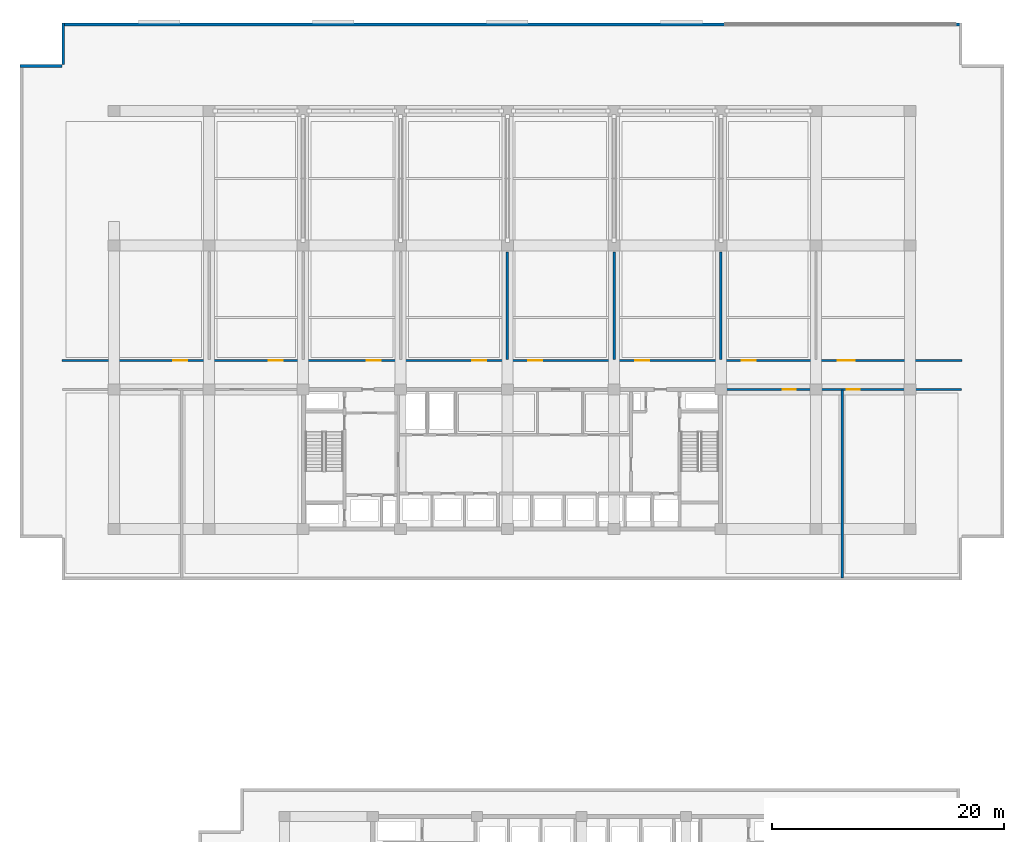
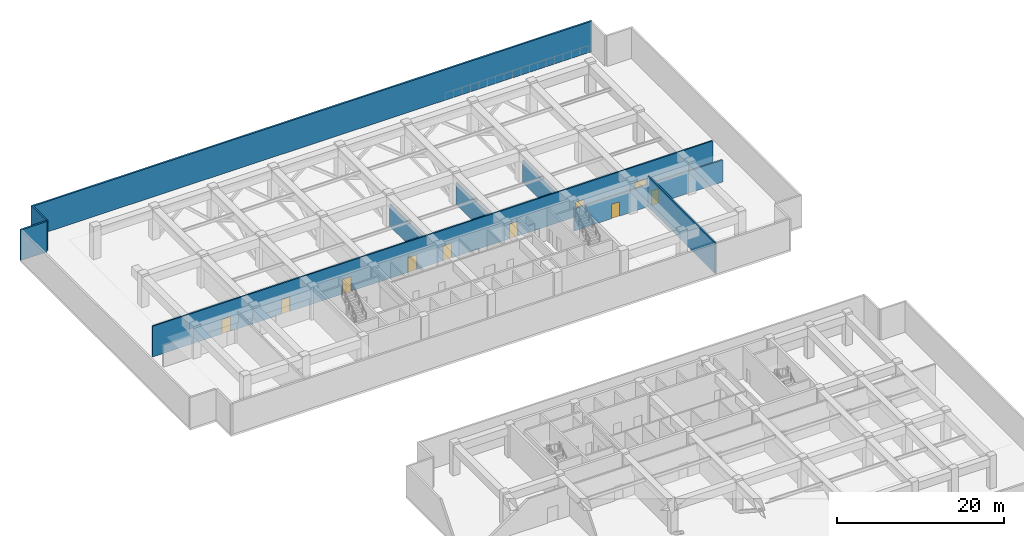
# One storey, part 13 of 21: 10 doors, 9 walls, 10 openings.
"""IFC4 building model written with IfcOpenShell, lengths in metres."""

import ifcopenshell
import ifcopenshell.guid

model = None  # the IFC model being written
_history = None  # IfcOwnerHistory: only IFC2X3 demands one
_inside = {}  # id of a spatial element -> (the spatial element, [elements in it])
_under = {}  # id of a project, library or spatial element -> (it, [spatial elements below it])
_declared = {}  # id of a project -> (the project, [libraries it declares])
_typed = {}  # id of a type object -> (the type object, [elements of that type])
_made_of = {}  # id of a material, layer set ... -> (it, [elements and type objects made of it])


def new_model(schema):
    """Start an empty IFC model of exactly this schema.

    Asked for "IFC4X3", IfcOpenShell would pick the latest addendum, in which some entities
    have other attributes; the version numbers below select the first issue.
    IFC2X3 requires an IfcOwnerHistory on every rooted entity: one is made here for all.
    """
    global model, _history
    if schema == "IFC4X3":
        model = ifcopenshell.file(schema_version=(4, 3, 0, 0))
    else:
        model = ifcopenshell.file(schema=schema)
    _inside.clear()
    _under.clear()
    _declared.clear()
    _typed.clear()
    _made_of.clear()
    _history = None
    if model.schema == "IFC2X3":
        org = make("IfcOrganization", Name="unknown")
        user = make(
            "IfcPersonAndOrganization",
            ThePerson=make("IfcPerson", FamilyName="unknown"),
            TheOrganization=org,
        )
        app = make(
            "IfcApplication",
            ApplicationDeveloper=org,
            Version="unknown",
            ApplicationFullName="unknown",
            ApplicationIdentifier="unknown",
        )
        _history = make(
            "IfcOwnerHistory",
            OwningUser=user,
            OwningApplication=app,
            ChangeAction="ADDED",
            CreationDate=0,
        )
    return model


def make(cls, **values):
    """One entity of the class cls with the attributes given. An attribute that is None is left unset."""
    return model.create_entity(
        cls, **{name: value for name, value in values.items() if value is not None}
    )


def rooted(cls, **values):
    """An entity with a GlobalId (a new one), such as an element, a storey or a relation."""
    return make(cls, GlobalId=ifcopenshell.guid.new(), OwnerHistory=_history, **values)


def si_unit(unit_type, name, prefix=None):
    """IfcSIUnit, for example si_unit("LENGTHUNIT", "METRE", prefix="MILLI")."""
    return make("IfcSIUnit", UnitType=unit_type, Prefix=prefix, Name=name)


def assignment(units):
    """IfcUnitAssignment: the units of a project."""
    return None if units is None else make("IfcUnitAssignment", Units=units)


def point(xyz):
    """IfcCartesianPoint."""
    return None if xyz is None else make("IfcCartesianPoint", Coordinates=xyz)


def direction(xyz):
    """IfcDirection."""
    return None if xyz is None else make("IfcDirection", DirectionRatios=xyz)


def frame(location, z_axis=None, x_axis=None):
    """IfcAxis2Placement3D, a coordinate frame: its origin and axes. An axis left out is left unset."""
    return make(
        "IfcAxis2Placement3D",
        Location=point(location),
        Axis=direction(z_axis),
        RefDirection=direction(x_axis),
    )


def frame_2d(location, x_axis=None):
    """IfcAxis2Placement2D, a coordinate frame in the plane: its origin and x axis."""
    return make(
        "IfcAxis2Placement2D", Location=point(location), RefDirection=direction(x_axis)
    )


def origin():
    """The frame at (0, 0, 0) with its axes left unset."""
    return frame((0.0, 0.0, 0.0))


def place(relative_to, where):
    """IfcLocalPlacement: puts the frame where relative to a parent placement (None: the world)."""
    return make(
        "IfcLocalPlacement", PlacementRelTo=relative_to, RelativePlacement=where
    )


def context(
    kind, dimensions, precision=None, world=None, true_north=None, identifier=None
):
    """IfcGeometricRepresentationContext, for example the 3D "Model" context."""
    return make(
        "IfcGeometricRepresentationContext",
        ContextIdentifier=identifier,
        ContextType=kind,
        CoordinateSpaceDimension=dimensions,
        Precision=precision,
        WorldCoordinateSystem=world,
        TrueNorth=true_north,
    )


def subcontext(parent, identifier, kind, view, scale=None):
    """IfcGeometricRepresentationSubContext, for example "Body" below "Model"."""
    return make(
        "IfcGeometricRepresentationSubContext",
        ContextIdentifier=identifier,
        ContextType=kind,
        ParentContext=parent,
        TargetScale=scale,
        TargetView=view,
    )


def project(units=None, contexts=None):
    """IfcProject with its units and contexts."""
    return rooted(
        "IfcProject",
        Name="project",
        RepresentationContexts=contexts,
        UnitsInContext=assignment(units),
    )


def spatial(cls, under=None, at=None, **own):
    """A site, building, storey or space (cls), placed at a placement, below another one or the project."""
    s = rooted(cls, ObjectPlacement=at, **own)
    if under is not None:
        _under.setdefault(under.id(), (under, []))[1].append(s)
    return s


def profile(cls, at=None, kind="AREA", **sizes):
    """A parametric profile (cls). Its sizes go by their IFC names, for example OverallWidth=200.0."""
    return make(cls, ProfileType=kind, Position=at, **sizes)


def rectangle(**sizes):
    """IfcRectangleProfileDef."""
    return profile("IfcRectangleProfileDef", **sizes)


def extrude(swept, where, along, depth):
    """IfcExtrudedAreaSolid: the profile swept, set in the frame where, extruded along a direction by depth."""
    return make(
        "IfcExtrudedAreaSolid",
        SweptArea=swept,
        Position=where,
        ExtrudedDirection=direction(along),
        Depth=depth,
    )


def shape(context_of_items, identifier, shape_type, items):
    """IfcShapeRepresentation: the items that make up one representation, for example the "Body"."""
    return make(
        "IfcShapeRepresentation",
        ContextOfItems=context_of_items,
        RepresentationIdentifier=identifier,
        RepresentationType=shape_type,
        Items=items,
    )


def material(Name=None, Category=None):
    """IfcMaterial."""
    return make("IfcMaterial", Name=Name, Category=Category)


def layer(
    of_material, thickness, ventilated=None, Name=None, Category=None, Priority=None
):
    """IfcMaterialLayer: one layer of a wall or slab, of a material (None: an air gap)."""
    return make(
        "IfcMaterialLayer",
        Material=of_material,
        LayerThickness=thickness,
        IsVentilated=ventilated,
        Name=Name,
        Category=Category,
        Priority=Priority,
    )


def layer_set(layers, Name=None):
    """IfcMaterialLayerSet."""
    return make("IfcMaterialLayerSet", MaterialLayers=layers, LayerSetName=Name)


def made_of(thing, what):
    """Note that an element or type object is made of a material, layer set ...; save() writes the relation."""
    if what is not None:
        _made_of.setdefault(what.id(), (what, []))[1].append(thing)
    return thing


def type_object(cls, material=None, **own):
    """A type object (cls), such as IfcWallType, which elements share."""
    return made_of(rooted(cls, **own), material)


def element(
    cls,
    number,
    at=None,
    inside=None,
    cuts=None,
    type_object=None,
    material=None,
    context=None,
    identifier="Body",
    shape_type=None,
    held_by="IfcProductDefinitionShape",
    body=None,
    shapes=None,
    **own,
):
    """One element of the class cls, such as IfcWall. Its Tag is "e" and its number.

    at: its placement. inside: the storey or other place that contains it. cuts: it is an
    opening in that element (IfcRelVoidsElement). A single representation is given by context,
    identifier, shape_type and body (its items); several are given by shapes. held_by: the class
    of the entity that holds the representations. save() writes the other relations.
    """
    e = rooted(cls, Tag="e%d" % number, ObjectPlacement=at, **own)
    if body is not None:
        shapes = [shape(context, identifier, shape_type, body)]
    if shapes is not None:
        e.Representation = make(held_by, Representations=shapes)
    if inside is not None:
        _inside.setdefault(inside.id(), (inside, []))[1].append(e)
    if cuts is not None:
        rooted(
            "IfcRelVoidsElement", RelatingBuildingElement=cuts, RelatedOpeningElement=e
        )
    if type_object is not None:
        _typed.setdefault(type_object.id(), (type_object, []))[1].append(e)
    return made_of(e, material)


def fill(opening, filler):
    """IfcRelFillsElement: the door or window that sits in an opening."""
    return rooted(
        "IfcRelFillsElement",
        RelatingOpeningElement=opening,
        RelatedBuildingElement=filler,
    )


def aggregate(whole, parts):
    """IfcRelAggregates: a whole, such as a stair, and the parts it consists of."""
    return rooted("IfcRelAggregates", RelatingObject=whole, RelatedObjects=parts)


def save(model, path):
    """Write the relations noted so far, then the file.

    IfcRelAggregates (storeys below a building ...), IfcRelContainedInSpatialStructure (elements
    in a storey), IfcRelDefinesByType, IfcRelAssociatesMaterial and IfcRelDeclares: one each for
    every whole, place, type object, material and project.
    """
    for whole, parts in _under.values():
        aggregate(whole, parts)
    for where, things in _inside.values():
        rooted(
            "IfcRelContainedInSpatialStructure",
            RelatedElements=things,
            RelatingStructure=where,
        )
    for kind, things in _typed.values():
        rooted("IfcRelDefinesByType", RelatedObjects=things, RelatingType=kind)
    for what, things in _made_of.values():
        rooted("IfcRelAssociatesMaterial", RelatedObjects=things, RelatingMaterial=what)
    for by, libraries in _declared.values():
        rooted("IfcRelDeclares", RelatingContext=by, RelatedDefinitions=libraries)
    model.write(path)


model = new_model("IFC4")

# Units and contexts
model_context = context("Model", 3, precision=1e-05, world=origin(), true_north=direction((0.0, 1.0)))
body_context = subcontext(model_context, "Body", "Model", "MODEL_VIEW")
ifc_project = project(units=[si_unit("LENGTHUNIT", "METRE"), si_unit("AREAUNIT", "SQUARE_METRE"), si_unit("VOLUMEUNIT", "CUBIC_METRE"), si_unit("PLANEANGLEUNIT", "RADIAN"), si_unit("MASSUNIT", "GRAM", prefix="KILO")], contexts=[model_context])

# Site, building, storey
site_placement = place(None, origin())
site = spatial("IfcSite", under=ifc_project, at=site_placement, CompositionType="ELEMENT")
building_placement = place(site_placement, origin())
building = spatial("IfcBuilding", under=site, at=building_placement, Name="Korimba Cascade Residences", CompositionType="ELEMENT")
storey_placement = place(building_placement, frame((0.0, 0.0, 76.0)))
storey = spatial("IfcBuildingStorey", under=building, at=storey_placement, Name="L21", CompositionType="ELEMENT", Elevation=76.0)

# Walls
ifc_material_1 = material(Name="Precast concrete C40/50", Category="concrete")
ifc_layer_1 = layer(ifc_material_1, 0.25)
ifc_layer_set_1 = layer_set([ifc_layer_1], Name="Precast concrete C40/50")
wall_type_1 = type_object("IfcWallType", Name="EW-PLNT-250", PredefinedType="SHEAR", material=ifc_layer_set_1)
wall_1_placement = place(storey_placement, frame((132.89990234375, 98.675048828125, 0.0), z_axis=(0.0, 0.0, 1.0), x_axis=(-1.0, 0.0, 0.0)))
element("IfcWall", 1, at=wall_1_placement, inside=storey, type_object=wall_type_1, Name="L21 T1 Perimeter Stone Wall E06", PredefinedType="SHEAR", context=body_context, shape_type="SweptSolid", body=[
    extrude(rectangle(XDim=77.599853515625, YDim=0.25, at=frame_2d((38.7998046875, 0.0))), origin(), (0.0, 0.0, 1.0), 4.47998046875),
])
for number, where, z_axis, x_axis, name in (
    (2, (55.425048828125, 98.800048828125, 0.0), (0.0, 0.0, 1.0), (0.0, -1.0, 0.0), "L21 T1 Perimeter Stone Wall E07"),
    (3, (55.300048828125, 95.074951171875, 0.0), (0.0, 0.0, 1.0), (-1.0, 0.0, 0.0), "L21 T1 Perimeter Stone Wall E08"),
):
    element("IfcWall", number, at=place(storey_placement, frame(where, z_axis=z_axis, x_axis=x_axis)), inside=storey, type_object=wall_type_1, Name=name, PredefinedType="SHEAR", context=body_context, shape_type="SweptSolid", body=[
        extrude(rectangle(XDim=3.60009765625, YDim=0.25, at=frame_2d((1.800048828125, 0.0))), origin(), (0.0, 0.0, 1.0), 4.47998046875),
    ])
ifc_material_2 = material(Name="Concrete C40/50", Category="concrete")
ifc_layer_2 = layer(ifc_material_2, 0.199951171875)
ifc_layer_set_2 = layer_set([ifc_layer_2], Name="Concrete C40/50")
wall_type_2 = type_object("IfcWallType", Name="WAL-PART-200", PredefinedType="PARTITIONING", material=ifc_layer_set_2)
for number, where, z_axis, x_axis, name in (
    (4, (93.699951171875, 69.800048828125, 0.0), (0.0, 0.0, 1.0), (0.0, 1.0, 0.0), "L21 Partition Wall WAL-L21-T1-PD4"),
    (5, (102.89990234375, 69.800048828125, 0.0), (0.0, 0.0, 1.0), (0.0, 1.0, 0.0), "L21 Partition Wall WAL-L21-T1-PD5"),
    (6, (112.10009765625, 69.800048828125, 0.0), (0.0, 0.0, 1.0), (0.0, 1.0, 0.0), "L21 Partition Wall WAL-L21-T1-PD6"),
):
    element("IfcWall", number, at=place(storey_placement, frame(where, z_axis=z_axis, x_axis=x_axis)), inside=storey, type_object=wall_type_2, Name=name, PredefinedType="PARTITIONING", context=body_context, shape_type="SweptSolid", body=[
        extrude(rectangle(XDim=9.25, YDim=0.199951171875, at=frame_2d((4.625, 0.0))), origin(), (0.0, 0.0, 1.0), 3.22998046875),
    ])

# Wall, openings, doors
wall_2_placement = place(storey_placement, frame((55.300048828125, 69.699951171875, 0.0), z_axis=(0.0, 0.0, 1.0), x_axis=(1.0, 0.0, 0.0)))
wall_2 = element("IfcWall", 7, at=wall_2_placement, inside=storey, type_object=wall_type_2, Name="L21 Partition Wall WAL-L21-T1-PCORN", PredefinedType="PARTITIONING", context=body_context, shape_type="SweptSolid", body=[
    extrude(rectangle(XDim=77.599853515625, YDim=0.199951171875, at=frame_2d((38.7998046875, 0.0))), origin(), (0.0, 0.0, 1.0), 4.47998046875),
])
opening_1_placement = place(wall_2_placement, frame((9.613525390625, 0.0, 0.0)))
opening_1 = element("IfcOpeningElement", 8, at=opening_1_placement, cuts=wall_2, Name="Opening D-FD3", PredefinedType="OPENING", context=body_context, shape_type="SweptSolid", body=[
    extrude(rectangle(XDim=1.199951171875, YDim=2.14990234375, at=frame_2d((0.60009765625, 1.074951171875))), frame((0.0, 0.10986328125, 0.0), z_axis=(0.0, -1.0, 0.0), x_axis=(1.0, 0.0, 0.0)), (0.0, 0.0, 1.0), 0.219970703125),
])
opening_2_placement = place(wall_2_placement, frame((17.82763671875, 0.0, 0.0)))
opening_2 = element("IfcOpeningElement", 9, at=opening_2_placement, cuts=wall_2, Name="Opening D-FD3", PredefinedType="OPENING", context=body_context, shape_type="SweptSolid", body=[
    extrude(rectangle(XDim=1.199951171875, YDim=2.14990234375, at=frame_2d((0.60009765625, 1.074951171875))), frame((0.0, 0.10986328125, 0.0), z_axis=(0.0, -1.0, 0.0), x_axis=(1.0, 0.0, 0.0)), (0.0, 0.0, 1.0), 0.219970703125),
])
opening_3_placement = place(wall_2_placement, frame((26.284912109375, 0.0, 0.0)))
opening_3 = element("IfcOpeningElement", 10, at=opening_3_placement, cuts=wall_2, Name="Opening D-FD3", PredefinedType="OPENING", context=body_context, shape_type="SweptSolid", body=[
    extrude(rectangle(XDim=1.199951171875, YDim=2.14990234375, at=frame_2d((0.60009765625, 1.074951171875))), frame((0.0, 0.10986328125, 0.0), z_axis=(0.0, -1.0, 0.0), x_axis=(1.0, 0.0, 0.0)), (0.0, 0.0, 1.0), 0.219970703125),
])
opening_4_placement = place(wall_2_placement, frame((35.388916015625, 0.0, 0.0)))
opening_4 = element("IfcOpeningElement", 11, at=opening_4_placement, cuts=wall_2, Name="Opening D-FD3", PredefinedType="OPENING", context=body_context, shape_type="SweptSolid", body=[
    extrude(rectangle(XDim=1.199951171875, YDim=2.14990234375, at=frame_2d((0.60009765625, 1.074951171875))), frame((0.0, 0.10986328125, 0.0), z_axis=(0.0, -1.0, 0.0), x_axis=(1.0, 0.0, 0.0)), (0.0, 0.0, 1.0), 0.219970703125),
])
opening_5_placement = place(wall_2_placement, frame((40.211181640625, 0.0, 0.0)))
opening_5 = element("IfcOpeningElement", 12, at=opening_5_placement, cuts=wall_2, Name="Opening D-FD3", PredefinedType="OPENING", context=body_context, shape_type="SweptSolid", body=[
    extrude(rectangle(XDim=1.199951171875, YDim=2.14990234375, at=frame_2d((0.60009765625, 1.074951171875))), frame((0.0, 0.10986328125, 0.0), z_axis=(0.0, -1.0, 0.0), x_axis=(1.0, 0.0, 0.0)), (0.0, 0.0, 1.0), 0.219970703125),
])
opening_6_placement = place(wall_2_placement, frame((49.4111328125, 0.0, 0.0)))
opening_6 = element("IfcOpeningElement", 13, at=opening_6_placement, cuts=wall_2, Name="Opening D-FD3", PredefinedType="OPENING", context=body_context, shape_type="SweptSolid", body=[
    extrude(rectangle(XDim=1.199951171875, YDim=2.14990234375, at=frame_2d((0.60009765625, 1.074951171875))), frame((0.0, 0.10986328125, 0.0), z_axis=(0.0, -1.0, 0.0), x_axis=(1.0, 0.0, 0.0)), (0.0, 0.0, 1.0), 0.219970703125),
])
opening_7_placement = place(wall_2_placement, frame((58.58642578125, 0.0, 0.0)))
opening_7 = element("IfcOpeningElement", 14, at=opening_7_placement, cuts=wall_2, Name="Opening D-FD3", PredefinedType="OPENING", context=body_context, shape_type="SweptSolid", body=[
    extrude(rectangle(XDim=1.199951171875, YDim=2.14990234375, at=frame_2d((0.60009765625, 1.074951171875))), frame((0.0, 0.10986328125, 0.0), z_axis=(0.0, -1.0, 0.0), x_axis=(1.0, 0.0, 0.0)), (0.0, 0.0, 1.0), 0.219970703125),
])
opening_8_placement = place(wall_2_placement, frame((66.8544921875, 0.0, 0.0)))
opening_8 = element("IfcOpeningElement", 15, at=opening_8_placement, cuts=wall_2, Name="Opening D-FD4", PredefinedType="OPENING", context=body_context, shape_type="SweptSolid", body=[
    extrude(rectangle(XDim=1.5, YDim=2.179931640625, at=frame_2d((0.75, 1.08984375))), frame((0.0, 0.10986328125, 0.0), z_axis=(0.0, -1.0, 0.0), x_axis=(1.0, 0.0, 0.0)), (0.0, 0.0, 1.0), 0.219970703125),
])
ifc_material_3 = material(Name="Fire-Rated Steel Plant Door", Category="steel")
door_type_1 = type_object("IfcDoorType", Name="DR-FD120-1200", OperationType="NOTDEFINED", PredefinedType="DOOR", material=ifc_material_3)
door_1_placement = place(opening_1_placement, origin())
door_1 = element("IfcDoor", 16, at=door_1_placement, inside=storey, type_object=door_type_1, Name="L21 Chiller Plant Room Door", OperationType="SINGLE_SWING_LEFT", OverallHeight=2.14990234375, OverallWidth=1.199951171875, PredefinedType="DOOR", context=body_context, shape_type="SweptSolid", body=[
    extrude(rectangle(XDim=1.199951171875, YDim=2.14990234375, at=frame_2d((0.60009765625, 1.074951171875))), frame((0.0, 0.02490234375, 0.0), z_axis=(0.0, -1.0, 0.0), x_axis=(1.0, 0.0, 0.0)), (0.0, 0.0, 1.0), 0.050048828125),
])
fill(opening_1, door_1)
door_2_placement = place(opening_2_placement, origin())
door_2 = element("IfcDoor", 17, at=door_2_placement, inside=storey, type_object=door_type_1, Name="L21 Condenser Water Plant Room Door", OperationType="SINGLE_SWING_RIGHT", OverallHeight=2.14990234375, OverallWidth=1.199951171875, PredefinedType="DOOR", context=body_context, shape_type="SweptSolid", body=[
    extrude(rectangle(XDim=1.199951171875, YDim=2.14990234375, at=frame_2d((0.60009765625, 1.074951171875))), frame((0.0, 0.02490234375, 0.0), z_axis=(0.0, -1.0, 0.0), x_axis=(1.0, 0.0, 0.0)), (0.0, 0.0, 1.0), 0.050048828125),
])
fill(opening_2, door_2)
door_3_placement = place(opening_3_placement, origin())
door_3 = element("IfcDoor", 18, at=door_3_placement, inside=storey, type_object=door_type_1, Name="L21 Heat-Recovery AHU Plant Room Door", OperationType="SINGLE_SWING_LEFT", OverallHeight=2.14990234375, OverallWidth=1.199951171875, PredefinedType="DOOR", context=body_context, shape_type="SweptSolid", body=[
    extrude(rectangle(XDim=1.199951171875, YDim=2.14990234375, at=frame_2d((0.60009765625, 1.074951171875))), frame((0.0, 0.02490234375, 0.0), z_axis=(0.0, -1.0, 0.0), x_axis=(1.0, 0.0, 0.0)), (0.0, 0.0, 1.0), 0.050048828125),
])
fill(opening_3, door_3)
door_4_placement = place(opening_4_placement, origin())
door_4 = element("IfcDoor", 19, at=door_4_placement, inside=storey, type_object=door_type_1, Name="L21 Smoke Exhaust Fan Plant Room Door", OperationType="SINGLE_SWING_RIGHT", OverallHeight=2.14990234375, OverallWidth=1.199951171875, PredefinedType="DOOR", context=body_context, shape_type="SweptSolid", body=[
    extrude(rectangle(XDim=1.199951171875, YDim=2.14990234375, at=frame_2d((0.60009765625, 1.074951171875))), frame((0.0, 0.02490234375, 0.0), z_axis=(0.0, -1.0, 0.0), x_axis=(1.0, 0.0, 0.0)), (0.0, 0.0, 1.0), 0.050048828125),
])
fill(opening_4, door_4)
door_5_placement = place(opening_5_placement, origin())
door_5 = element("IfcDoor", 20, at=door_5_placement, inside=storey, type_object=door_type_1, Name="L21 Hydronic Pump Plant Room Door", OperationType="SINGLE_SWING_LEFT", OverallHeight=2.14990234375, OverallWidth=1.199951171875, PredefinedType="DOOR", context=body_context, shape_type="SweptSolid", body=[
    extrude(rectangle(XDim=1.199951171875, YDim=2.14990234375, at=frame_2d((0.60009765625, 1.074951171875))), frame((0.0, 0.02490234375, 0.0), z_axis=(0.0, -1.0, 0.0), x_axis=(1.0, 0.0, 0.0)), (0.0, 0.0, 1.0), 0.050048828125),
])
fill(opening_5, door_5)
door_6_placement = place(opening_6_placement, origin())
door_6 = element("IfcDoor", 21, at=door_6_placement, inside=storey, type_object=door_type_1, Name="L21 Sprinkler Booster Plant Room Door", OperationType="SINGLE_SWING_RIGHT", OverallHeight=2.14990234375, OverallWidth=1.199951171875, PredefinedType="DOOR", context=body_context, shape_type="SweptSolid", body=[
    extrude(rectangle(XDim=1.199951171875, YDim=2.14990234375, at=frame_2d((0.60009765625, 1.074951171875))), frame((0.0, 0.02490234375, 0.0), z_axis=(0.0, -1.0, 0.0), x_axis=(1.0, 0.0, 0.0)), (0.0, 0.0, 1.0), 0.050048828125),
])
fill(opening_6, door_6)
door_7_placement = place(opening_7_placement, origin())
door_7 = element("IfcDoor", 22, at=door_7_placement, inside=storey, type_object=door_type_1, Name="L21 BMS Control Switchroom Plant Door", OperationType="SINGLE_SWING_LEFT", OverallHeight=2.14990234375, OverallWidth=1.199951171875, PredefinedType="DOOR", context=body_context, shape_type="SweptSolid", body=[
    extrude(rectangle(XDim=1.199951171875, YDim=2.14990234375, at=frame_2d((0.60009765625, 1.074951171875))), frame((0.0, 0.02490234375, 0.0), z_axis=(0.0, -1.0, 0.0), x_axis=(1.0, 0.0, 0.0)), (0.0, 0.0, 1.0), 0.050048828125),
])
fill(opening_7, door_7)
ifc_material_4 = material(Name="Fire-Rated Double Steel Refuge Door", Category="steel")
door_type_2 = type_object("IfcDoorType", Name="DR-FD120-1500", OperationType="NOTDEFINED", PredefinedType="DOOR", material=ifc_material_4)
door_8_placement = place(opening_8_placement, origin())
door_8 = element("IfcDoor", 23, at=door_8_placement, inside=storey, type_object=door_type_2, Name="L21 Open-Air Fire Refuge Area Door", OperationType="DOUBLE_DOOR_SINGLE_SWING", OverallHeight=2.179931640625, OverallWidth=1.5, PredefinedType="DOOR", context=body_context, shape_type="SweptSolid", body=[
    extrude(rectangle(XDim=1.5, YDim=2.179931640625, at=frame_2d((0.75, 1.08984375))), frame((0.0, 0.02490234375, 0.0), z_axis=(0.0, -1.0, 0.0), x_axis=(1.0, 0.0, 0.0)), (0.0, 0.0, 1.0), 0.050048828125),
])
fill(opening_8, door_8)

# Wall
wall_3_placement = place(storey_placement, frame((122.550048828125, 50.949951171875, 0.0), z_axis=(0.0, 0.0, 1.0), x_axis=(0.0, 1.0, 0.0)))
element("IfcWall", 24, at=wall_3_placement, inside=storey, type_object=wall_type_2, Name="L21 Partition Wall WAL-L21-T1-RWEV", PredefinedType="PARTITIONING", context=body_context, shape_type="SweptSolid", body=[
    extrude(rectangle(XDim=16.199951171875, YDim=0.199951171875, at=frame_2d((8.10009765625, 0.0))), origin(), (0.0, 0.0, 1.0), 4.47998046875),
])

# Wall, openings, doors
wall_4_placement = place(storey_placement, frame((112.25, 67.199951171875, 0.0), z_axis=(0.0, 0.0, 1.0), x_axis=(1.0, 0.0, 0.0)))
wall_4 = element("IfcWall", 25, at=wall_4_placement, inside=storey, type_object=wall_type_2, Name="L21 Partition Wall WAL-L21-T1-RWEN", PredefinedType="PARTITIONING", context=body_context, shape_type="SweptSolid", body=[
    extrude(rectangle(XDim=20.60009765625, YDim=0.199951171875, at=frame_2d((10.300048828125, 0.0))), origin(), (0.0, 0.0, 1.0), 3.22998046875),
])
opening_9_placement = place(wall_4_placement, frame((5.19189453125, 0.0, 0.0)))
opening_9 = element("IfcOpeningElement", 26, at=opening_9_placement, cuts=wall_4, Name="Opening D-FD1", PredefinedType="OPENING", context=body_context, shape_type="SweptSolid", body=[
    extrude(rectangle(XDim=1.10009765625, YDim=2.10009765625, at=frame_2d((0.550048828125, 1.050048828125))), frame((0.0, 0.10986328125, 0.0), z_axis=(0.0, -1.0, 0.0), x_axis=(1.0, 0.0, 0.0)), (0.0, 0.0, 1.0), 0.219970703125),
])
opening_10_placement = place(wall_4_placement, frame((10.699951171875, 0.0, 0.0)))
opening_10 = element("IfcOpeningElement", 27, at=opening_10_placement, cuts=wall_4, Name="Opening D-FD1", PredefinedType="OPENING", context=body_context, shape_type="SweptSolid", body=[
    extrude(rectangle(XDim=1.10009765625, YDim=2.10009765625, at=frame_2d((0.550048828125, 1.050048828125))), frame((0.0, 0.10986328125, 0.0), z_axis=(0.0, -1.0, 0.0), x_axis=(1.0, 0.0, 0.0)), (0.0, 0.0, 1.0), 0.219970703125),
])
ifc_material_5 = material(Name="Fire-Rated Steel Core Door", Category="steel")
door_type_3 = type_object("IfcDoorType", Name="DR-FD120-1100", OperationType="NOTDEFINED", PredefinedType="DOOR", material=ifc_material_5)
door_9_placement = place(opening_9_placement, origin())
door_9 = element("IfcDoor", 28, at=door_9_placement, inside=storey, type_object=door_type_3, Name="L21 E Tank Plant Door", OperationType="SINGLE_SWING_RIGHT", OverallHeight=2.10009765625, OverallWidth=1.10009765625, PredefinedType="DOOR", context=body_context, shape_type="SweptSolid", body=[
    extrude(rectangle(XDim=1.10009765625, YDim=2.10009765625, at=frame_2d((0.550048828125, 1.050048828125))), frame((0.0, 0.02490234375, 0.0), z_axis=(0.0, -1.0, 0.0), x_axis=(1.0, 0.0, 0.0)), (0.0, 0.0, 1.0), 0.050048828125),
])
fill(opening_9, door_9)
door_10_placement = place(opening_10_placement, origin())
door_10 = element("IfcDoor", 29, at=door_10_placement, inside=storey, type_object=door_type_3, Name="L21 E Switchroom Door", OperationType="SINGLE_SWING_LEFT", OverallHeight=2.10009765625, OverallWidth=1.10009765625, PredefinedType="DOOR", context=body_context, shape_type="SweptSolid", body=[
    extrude(rectangle(XDim=1.10009765625, YDim=2.10009765625, at=frame_2d((0.550048828125, 1.050048828125))), frame((0.0, 0.02490234375, 0.0), z_axis=(0.0, -1.0, 0.0), x_axis=(1.0, 0.0, 0.0)), (0.0, 0.0, 1.0), 0.050048828125),
])
fill(opening_10, door_10)

save(model, "model.ifc")
